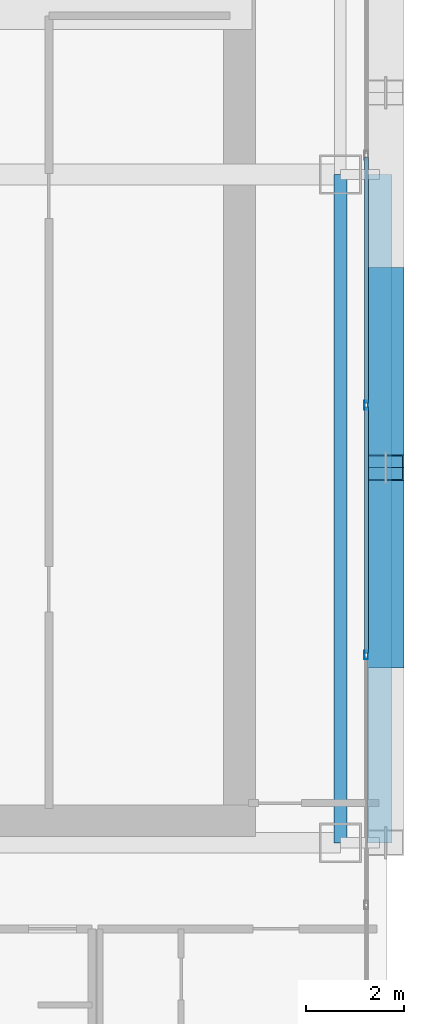
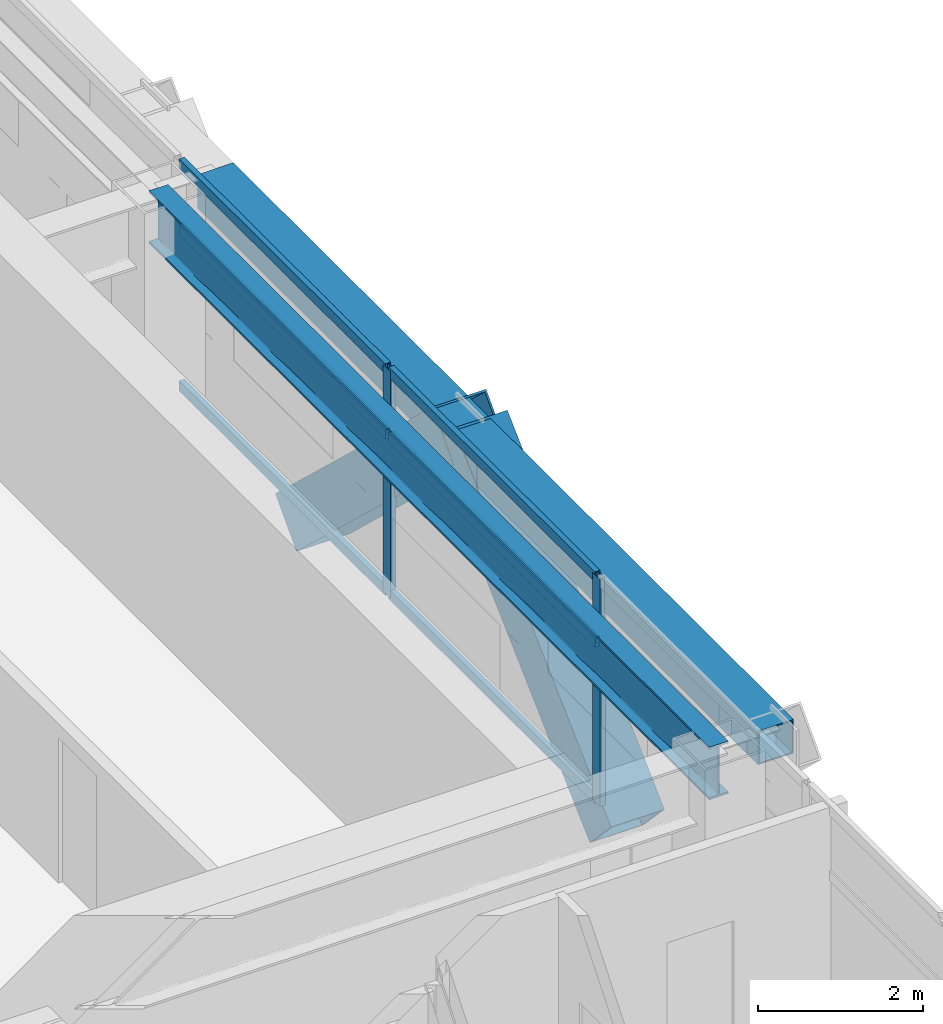
# One storey, part 13 of 34: 10 members, 2 beams, 1 element without a shape of its own.
"""IFC4 building model written with IfcOpenShell, lengths in metres."""

from ifc_helpers import new_model, si_unit, direction, frame, origin, origin_2d, place, context, subcontext, project, spatial, hollow_rectangle, i_section, extrude, source, transform, mapped, material, layer, layer_set, material_profile, profile_set, type_object, element, aggregate, save


model = new_model("IFC4")

# Units and contexts
model_context = context("Model", 3, precision=1e-05, world=origin(), true_north=direction((0.0, 1.0)))
body_context = subcontext(model_context, "Body", "Model", "MODEL_VIEW")
ifc_project = project(units=[si_unit("LENGTHUNIT", "METRE"), si_unit("AREAUNIT", "SQUARE_METRE"), si_unit("VOLUMEUNIT", "CUBIC_METRE"), si_unit("PLANEANGLEUNIT", "RADIAN"), si_unit("MASSUNIT", "GRAM", prefix="KILO")], contexts=[model_context])

# Site, building, storey
site_placement = place(None, origin())
site = spatial("IfcSite", under=ifc_project, at=site_placement, CompositionType="ELEMENT")
building_placement = place(site_placement, origin())
building = spatial("IfcBuilding", under=site, at=building_placement, Name="Ocotamira Hotel", CompositionType="ELEMENT")
storey_placement = place(building_placement, frame((0.0, 0.0, 108.0)))
storey = spatial("IfcBuildingStorey", under=building, at=storey_placement, Name="L26", CompositionType="ELEMENT", Elevation=108.0)

# Beams
ifc_material_1 = material(Name="Steel ASTM A992 Grade 50", Category="steel")
ifc_material_profile_1 = material_profile(ifc_material_1, i_section(OverallWidth=0.26611328125, OverallDepth=0.779052734375, WebThickness=0.0166015625, FlangeThickness=0.030029296875, FilletRadius=0.01806640625, at=origin_2d()), Name="W30X148")
ifc_profile_set_1 = profile_set([ifc_material_profile_1], Name="Steel ASTM A992 Grade 50")
beam_type_1 = type_object("IfcBeamType", Name="BM-GIRD-W30X148", PredefinedType="BEAM", material=ifc_profile_set_1)
shared_shape_1 = source(origin(), body_context, "Body", "SweptSolid", [
    extrude(i_section(OverallWidth=0.26611328125, OverallDepth=0.779052734375, WebThickness=0.0166015625, FlangeThickness=0.030029296875, FilletRadius=0.01806640625, at=origin_2d()), origin(), (0.0, 0.0, 1.0), 13.599853515625),
])
beam_1_placement = place(storey_placement, frame((55.050048828125, 14.550048828125, 2.970458984375), z_axis=(0.0, 1.0, 0.0), x_axis=(-1.0, 0.0, 0.0)))
element("IfcBeam", 1, at=beam_1_placement, inside=storey, type_object=beam_type_1, Name="L26 Beam X55.05 Y14.55-28.15", PredefinedType="BEAM", context=body_context, shape_type="MappedRepresentation", body=[
    mapped(shared_shape_1, transform((0.0, 0.0, 0.0), scale=1.0)),
])
ifc_material_2 = material(Name="Steel ASTM A500 Grade C", Category="steel")
ifc_material_profile_2 = material_profile(ifc_material_2, hollow_rectangle(XDim=0.5, YDim=0.5, WallThickness=0.02001953125, at=origin_2d()), Name="HSS500X500X20")
ifc_profile_set_2 = profile_set([ifc_material_profile_2], Name="Steel ASTM A500 Grade C")
beam_type_2 = type_object("IfcBeamType", Name="BM-SPAN-HSS500", PredefinedType="USERDEFINED", material=ifc_profile_set_2)
shared_shape_2 = source(origin(), body_context, "Body", "SweptSolid", [
    extrude(hollow_rectangle(XDim=0.5, YDim=0.5, WallThickness=0.02001953125, at=origin_2d()), origin(), (0.0, 0.0, 1.0), 13.599853515625),
])
beam_2_placement = place(storey_placement, frame((55.85009765625, 14.550048828125, 3.110107421875), z_axis=(0.0, 1.0, 0.0), x_axis=(-1.0, 0.0, 0.0)))
element("IfcBeam", 2, at=beam_2_placement, inside=storey, type_object=beam_type_2, Name="L26 Edge Spandrel E Y14.55-28.15", ObjectType="SPANDREL", PredefinedType="USERDEFINED", context=body_context, shape_type="MappedRepresentation", body=[
    mapped(shared_shape_2, transform((0.0, 0.0, 0.0), scale=1.0)),
])

# Members
ifc_material_3 = material(Name="Pale-metal coated steel ASTM A913 Grade 65", Category="steel")
ifc_material_profile_3 = material_profile(ifc_material_3, hollow_rectangle(XDim=0.75, YDim=0.75, WallThickness=0.028076171875, at=origin_2d()), Name="BOX750X750X28")
ifc_profile_set_3 = profile_set([ifc_material_profile_3], Name="Pale-metal coated steel ASTM A913 Grade 65")
member_type_1 = type_object("IfcMemberType", Name="MEM-EXO-BOX750", PredefinedType="BRACE", material=ifc_profile_set_3)
shared_shape_3 = source(origin(), body_context, "Body", "SweptSolid", [
    extrude(hollow_rectangle(XDim=0.75, YDim=0.75, WallThickness=0.028076171875, at=origin_2d()), origin(), (0.0, 0.0, 1.0), 5.24658203125),
])
for number, where, z_axis, x_axis, name in (
    (3, (55.969970703125, 18.36669921875, -0.489990234375), (0.0, 0.727442733726, 0.686168397078), (-1.0, 0.0, 0.0), "L26 Exoskeleton Diagrid E0.2"),
    (4, (55.969970703125, 26.0, -0.489990234375), (0.0, -0.727442733726, 0.686168397078), (1.0, 0.0, 0.0), "L26 Exoskeleton Diagrid E1.1"),
):
    element("IfcMember", number, at=place(storey_placement, frame(where, z_axis=z_axis, x_axis=x_axis)), inside=storey, type_object=member_type_1, Name=name, PredefinedType="BRACE", context=body_context, shape_type="MappedRepresentation", body=[
        mapped(shared_shape_3, transform((0.0, 0.0, 0.0), scale=1.0)),
    ])

# Curtain wall, members
ifc_material_4 = material(Name="Anodised pale-metal aluminium and solar glass", Category="aluminium")
ifc_layer = layer(ifc_material_4, 0.179931640625)
ifc_layer_set = layer_set([ifc_layer], Name="Anodised pale-metal aluminium and solar glass")
curtain_wall_type = type_object("IfcCurtainWallType", Name="CW-SYS3-Z2", PredefinedType="NOTDEFINED", material=ifc_layer_set)
curtain_wall_placement = place(storey_placement, origin())
curtain_wall = element("IfcCurtainWall", 5, at=curtain_wall_placement, inside=storey, type_object=curtain_wall_type, Name="L26 Curtain Wall CW-3 CW-L26-E", PredefinedType="NOTDEFINED")
ifc_material_5 = material(Name="Anodised pale-metal aluminium 6063-T6", Category="aluminium")
ifc_material_profile_4 = material_profile(ifc_material_5, hollow_rectangle(XDim=0.074951171875, YDim=0.14990234375, WallThickness=0.006103515625, at=origin_2d()), Name="HSS150X75X6")
ifc_profile_set_4 = profile_set([ifc_material_profile_4], Name="Anodised pale-metal aluminium 6063-T6")
member_type_2 = type_object("IfcMemberType", Name="CWT-150X75", PredefinedType="USERDEFINED", material=ifc_profile_set_4)
shared_shape_4 = source(origin(), body_context, "Body", "SweptSolid", [
    extrude(hollow_rectangle(XDim=0.074951171875, YDim=0.14990234375, WallThickness=0.006103515625, at=origin_2d()), origin(), (0.0, 0.0, 1.0), 5.005859375),
])
member_1_placement = place(storey_placement, frame((55.580078125, 18.411376953125, 0.03759765625), z_axis=(0.0, 1.0, 0.0), x_axis=(-1.0, 0.0, 0.0)))
member_1 = element("IfcMember", 6, at=member_1_placement, type_object=member_type_2, Name="CW-3 transom 3.1", ObjectType="TRANSOM", PredefinedType="USERDEFINED", context=body_context, shape_type="MappedRepresentation", body=[
    mapped(shared_shape_4, transform((0.0, 0.0, 0.0), scale=1.0)),
])
member_2_placement = place(storey_placement, frame((55.580078125, 18.411376953125, 2.35009765625), z_axis=(0.0, 1.0, 0.0), x_axis=(-1.0, 0.0, 0.0)))
member_2 = element("IfcMember", 7, at=member_2_placement, type_object=member_type_2, Name="CW-3 transom 3.2", ObjectType="TRANSOM", PredefinedType="USERDEFINED", context=body_context, shape_type="MappedRepresentation", body=[
    mapped(shared_shape_4, transform((0.0, 0.0, 0.0), scale=1.0)),
])
member_3_placement = place(storey_placement, frame((55.580078125, 18.411376953125, 3.322509765625), z_axis=(0.0, 1.0, 0.0), x_axis=(-1.0, 0.0, 0.0)))
member_3 = element("IfcMember", 8, at=member_3_placement, type_object=member_type_2, Name="CW-3 transom 3.3", ObjectType="TRANSOM", PredefinedType="USERDEFINED", context=body_context, shape_type="MappedRepresentation", body=[
    mapped(shared_shape_4, transform((0.0, 0.0, 0.0), scale=1.0)),
])
member_4_placement = place(storey_placement, frame((55.580078125, 23.4970703125, 0.03759765625), z_axis=(0.0, 1.0, 0.0), x_axis=(-1.0, 0.0, 0.0)))
member_4 = element("IfcMember", 9, at=member_4_placement, type_object=member_type_2, Name="CW-3 transom 4.1", ObjectType="TRANSOM", PredefinedType="USERDEFINED", context=body_context, shape_type="MappedRepresentation", body=[
    mapped(shared_shape_4, transform((0.0, 0.0, 0.0), scale=1.0)),
])
member_5_placement = place(storey_placement, frame((55.580078125, 23.4970703125, 2.35009765625), z_axis=(0.0, 1.0, 0.0), x_axis=(-1.0, 0.0, 0.0)))
member_5 = element("IfcMember", 10, at=member_5_placement, type_object=member_type_2, Name="CW-3 transom 4.2", ObjectType="TRANSOM", PredefinedType="USERDEFINED", context=body_context, shape_type="MappedRepresentation", body=[
    mapped(shared_shape_4, transform((0.0, 0.0, 0.0), scale=1.0)),
])
member_6_placement = place(storey_placement, frame((55.580078125, 23.4970703125, 3.322509765625), z_axis=(0.0, 1.0, 0.0), x_axis=(-1.0, 0.0, 0.0)))
member_6 = element("IfcMember", 11, at=member_6_placement, type_object=member_type_2, Name="CW-3 transom 4.3", ObjectType="TRANSOM", PredefinedType="USERDEFINED", context=body_context, shape_type="MappedRepresentation", body=[
    mapped(shared_shape_4, transform((0.0, 0.0, 0.0), scale=1.0)),
])
ifc_material_profile_5 = material_profile(ifc_material_5, hollow_rectangle(XDim=0.080078125, YDim=0.179931640625, WallThickness=0.006103515625, at=origin_2d()), Name="HSS180X80X6")
ifc_profile_set_5 = profile_set([ifc_material_profile_5], Name="Anodised pale-metal aluminium 6063-T6")
member_type_3 = type_object("IfcMemberType", Name="CWM-180X75", PredefinedType="MULLION", material=ifc_profile_set_5)
shared_shape_5 = source(origin(), body_context, "Body", "SweptSolid", [
    extrude(hollow_rectangle(XDim=0.080078125, YDim=0.179931640625, WallThickness=0.006103515625, at=origin_2d()), origin(), (0.0, 0.0, 1.0), 3.360107421875),
])
member_7_placement = place(storey_placement, frame((55.580078125, 18.371337890625, 0.0), z_axis=(0.0, 0.0, 1.0), x_axis=(-1.0, 0.0, 0.0)))
member_7 = element("IfcMember", 12, at=member_7_placement, type_object=member_type_3, Name="CW-3 mullion 3", PredefinedType="MULLION", context=body_context, shape_type="MappedRepresentation", body=[
    mapped(shared_shape_5, transform((0.0, 0.0, 0.0), scale=1.0)),
])
member_8_placement = place(storey_placement, frame((55.580078125, 23.45703125, 0.0), z_axis=(0.0, 0.0, 1.0), x_axis=(-1.0, 0.0, 0.0)))
member_8 = element("IfcMember", 13, at=member_8_placement, type_object=member_type_3, Name="CW-3 mullion 4", PredefinedType="MULLION", context=body_context, shape_type="MappedRepresentation", body=[
    mapped(shared_shape_5, transform((0.0, 0.0, 0.0), scale=1.0)),
])
aggregate(curtain_wall, [member_7, member_8, member_1, member_2, member_3, member_4, member_5, member_6])

save(model, "model.ifc")
